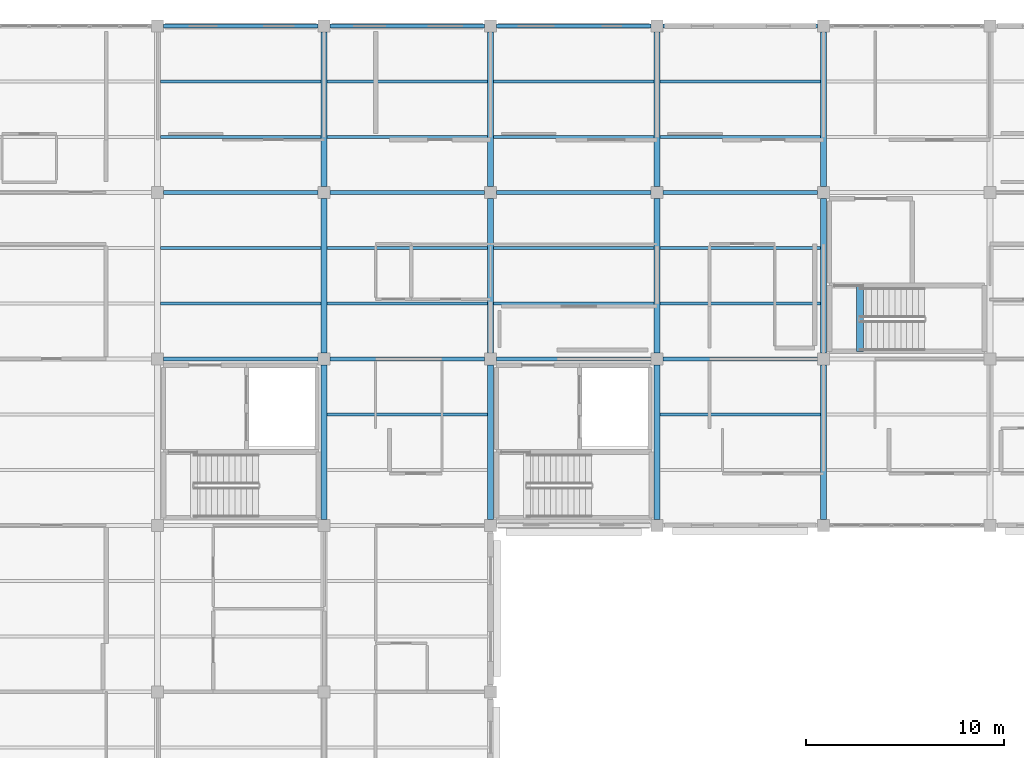
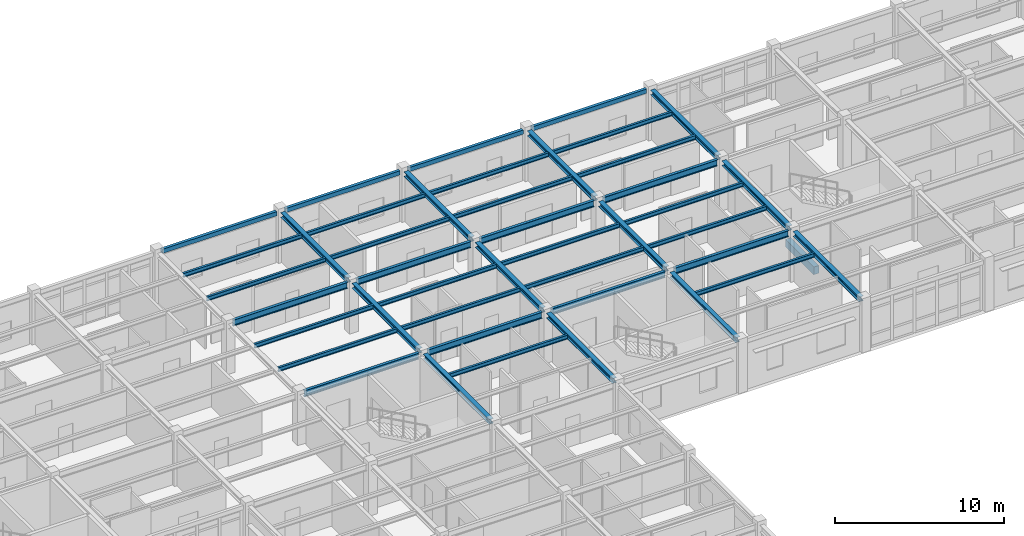
# One storey, part 28 of 86: 43 beams.
"""IFC4 building model written with IfcOpenShell, lengths in metres."""

from ifc_helpers import new_model, si_unit, direction, frame, origin, origin_2d, place, context, subcontext, project, spatial, rectangle, hollow_rectangle, i_section, extrude, material, material_profile, profile_set, type_object, element, save


model = new_model("IFC4")

# Units and contexts
model_context = context("Model", 3, precision=1e-05, world=origin(), true_north=direction((0.0, 1.0)))
body_context = subcontext(model_context, "Body", "Model", "MODEL_VIEW")
ifc_project = project(units=[si_unit("LENGTHUNIT", "METRE"), si_unit("AREAUNIT", "SQUARE_METRE"), si_unit("VOLUMEUNIT", "CUBIC_METRE"), si_unit("PLANEANGLEUNIT", "RADIAN"), si_unit("MASSUNIT", "GRAM", prefix="KILO")], contexts=[model_context])

# Site, building, storey
site_placement = place(None, origin())
site = spatial("IfcSite", under=ifc_project, at=site_placement, CompositionType="ELEMENT")
building_placement = place(site_placement, origin())
building = spatial("IfcBuilding", under=site, at=building_placement, Name="Bramfleet General Hospital", CompositionType="ELEMENT")
storey_placement = place(building_placement, frame((0.0, 0.0, 18.60009765625)))
storey = spatial("IfcBuildingStorey", under=building, at=storey_placement, Name="L04", CompositionType="ELEMENT", Elevation=18.60009765625)

# Beams
ifc_material_1 = material(Name="Steel S355", Category="steel")
ifc_material_profile_1 = material_profile(ifc_material_1, i_section(OverallWidth=0.300048828125, OverallDepth=0.35009765625, WebThickness=0.010009765625, FlangeThickness=0.017578125, FilletRadius=0.027099609375, at=origin_2d()), Name="HEA 360")
ifc_profile_set_1 = profile_set([ifc_material_profile_1], Name="Steel S355")
beam_type_1 = type_object("IfcBeamType", Name="BM-HEA360", PredefinedType="BEAM", material=ifc_profile_set_1)
beam_1_placement = place(storey_placement, frame((109.199951171875, 92.699951171875, 3.44482421875), z_axis=(0.0, 1.0, 0.0), x_axis=(-1.0, 0.0, 0.0)))
element("IfcBeam", 1, at=beam_1_placement, inside=storey, type_object=beam_type_1, Name="L04 Grid Beam Y 13-11", PredefinedType="BEAM", context=body_context, shape_type="SweptSolid", body=[
    extrude(i_section(OverallWidth=0.300048828125, OverallDepth=0.35009765625, WebThickness=0.010009765625, FlangeThickness=0.017578125, FilletRadius=0.027099609375, at=origin_2d()), origin(), (0.0, 0.0, 1.0), 7.800048828125),
])
beam_2_placement = place(storey_placement, frame((109.199951171875, 101.10009765625, 3.44482421875), z_axis=(0.0, 1.0, 0.0), x_axis=(-1.0, 0.0, 0.0)))
element("IfcBeam", 2, at=beam_2_placement, inside=storey, type_object=beam_type_1, Name="L04 Grid Beam Y 13-12", PredefinedType="BEAM", context=body_context, shape_type="SweptSolid", body=[
    extrude(i_section(OverallWidth=0.300048828125, OverallDepth=0.35009765625, WebThickness=0.010009765625, FlangeThickness=0.017578125, FilletRadius=0.027099609375, at=origin_2d()), origin(), (0.0, 0.0, 1.0), 7.7998046875),
])
for number, where, z_axis, x_axis, name in (
    (3, (109.199951171875, 109.5, 3.44482421875), (0.0, 1.0, 0.0), (-1.0, 0.0, 0.0), "L04 Grid Beam Y 13-13"),
    (4, (117.60009765625, 92.699951171875, 3.44482421875), (0.0, 1.0, 0.0), (-1.0, 0.0, 0.0), "L04 Grid Beam Y 14-11"),
):
    element("IfcBeam", number, at=place(storey_placement, frame(where, z_axis=z_axis, x_axis=x_axis)), inside=storey, type_object=beam_type_1, Name=name, PredefinedType="BEAM", context=body_context, shape_type="SweptSolid", body=[
        extrude(i_section(OverallWidth=0.300048828125, OverallDepth=0.35009765625, WebThickness=0.010009765625, FlangeThickness=0.017578125, FilletRadius=0.027099609375, at=origin_2d()), origin(), (0.0, 0.0, 1.0), 7.800048828125),
    ])
beam_3_placement = place(storey_placement, frame((117.60009765625, 101.10009765625, 3.44482421875), z_axis=(0.0, 1.0, 0.0), x_axis=(-1.0, 0.0, 0.0)))
element("IfcBeam", 5, at=beam_3_placement, inside=storey, type_object=beam_type_1, Name="L04 Grid Beam Y 14-12", PredefinedType="BEAM", context=body_context, shape_type="SweptSolid", body=[
    extrude(i_section(OverallWidth=0.300048828125, OverallDepth=0.35009765625, WebThickness=0.010009765625, FlangeThickness=0.017578125, FilletRadius=0.027099609375, at=origin_2d()), origin(), (0.0, 0.0, 1.0), 7.7998046875),
])
for number, where, z_axis, x_axis, name in (
    (6, (117.60009765625, 109.5, 3.44482421875), (0.0, 1.0, 0.0), (-1.0, 0.0, 0.0), "L04 Grid Beam Y 14-13"),
    (7, (126.0, 92.699951171875, 3.44482421875), (0.0, 1.0, 0.0), (-1.0, 0.0, 0.0), "L04 Grid Beam Y 15-11"),
):
    element("IfcBeam", number, at=place(storey_placement, frame(where, z_axis=z_axis, x_axis=x_axis)), inside=storey, type_object=beam_type_1, Name=name, PredefinedType="BEAM", context=body_context, shape_type="SweptSolid", body=[
        extrude(i_section(OverallWidth=0.300048828125, OverallDepth=0.35009765625, WebThickness=0.010009765625, FlangeThickness=0.017578125, FilletRadius=0.027099609375, at=origin_2d()), origin(), (0.0, 0.0, 1.0), 7.800048828125),
    ])
beam_4_placement = place(storey_placement, frame((126.0, 101.10009765625, 3.44482421875), z_axis=(0.0, 1.0, 0.0), x_axis=(-1.0, 0.0, 0.0)))
element("IfcBeam", 8, at=beam_4_placement, inside=storey, type_object=beam_type_1, Name="L04 Grid Beam Y 15-12", PredefinedType="BEAM", context=body_context, shape_type="SweptSolid", body=[
    extrude(i_section(OverallWidth=0.300048828125, OverallDepth=0.35009765625, WebThickness=0.010009765625, FlangeThickness=0.017578125, FilletRadius=0.027099609375, at=origin_2d()), origin(), (0.0, 0.0, 1.0), 7.7998046875),
])
for number, where, z_axis, x_axis, name in (
    (9, (126.0, 109.5, 3.44482421875), (0.0, 1.0, 0.0), (-1.0, 0.0, 0.0), "L04 Grid Beam Y 15-13"),
    (10, (134.39990234375, 92.699951171875, 3.44482421875), (0.0, 1.0, 0.0), (-1.0, 0.0, 0.0), "L04 Grid Beam Y 16-11"),
):
    element("IfcBeam", number, at=place(storey_placement, frame(where, z_axis=z_axis, x_axis=x_axis)), inside=storey, type_object=beam_type_1, Name=name, PredefinedType="BEAM", context=body_context, shape_type="SweptSolid", body=[
        extrude(i_section(OverallWidth=0.300048828125, OverallDepth=0.35009765625, WebThickness=0.010009765625, FlangeThickness=0.017578125, FilletRadius=0.027099609375, at=origin_2d()), origin(), (0.0, 0.0, 1.0), 7.800048828125),
    ])
beam_5_placement = place(storey_placement, frame((134.39990234375, 101.10009765625, 3.44482421875), z_axis=(0.0, 1.0, 0.0), x_axis=(-1.0, 0.0, 0.0)))
element("IfcBeam", 11, at=beam_5_placement, inside=storey, type_object=beam_type_1, Name="L04 Grid Beam Y 16-12", PredefinedType="BEAM", context=body_context, shape_type="SweptSolid", body=[
    extrude(i_section(OverallWidth=0.300048828125, OverallDepth=0.35009765625, WebThickness=0.010009765625, FlangeThickness=0.017578125, FilletRadius=0.027099609375, at=origin_2d()), origin(), (0.0, 0.0, 1.0), 7.7998046875),
])
beam_6_placement = place(storey_placement, frame((134.39990234375, 109.5, 3.44482421875), z_axis=(0.0, 1.0, 0.0), x_axis=(-1.0, 0.0, 0.0)))
element("IfcBeam", 12, at=beam_6_placement, inside=storey, type_object=beam_type_1, Name="L04 Grid Beam Y 16-13", PredefinedType="BEAM", context=body_context, shape_type="SweptSolid", body=[
    extrude(i_section(OverallWidth=0.300048828125, OverallDepth=0.35009765625, WebThickness=0.010009765625, FlangeThickness=0.017578125, FilletRadius=0.027099609375, at=origin_2d()), origin(), (0.0, 0.0, 1.0), 7.800048828125),
])
ifc_material_profile_2 = material_profile(ifc_material_1, i_section(OverallWidth=0.14990234375, OverallDepth=0.300048828125, WebThickness=0.007080078125, FlangeThickness=0.0107421875, FilletRadius=0.014892578125, at=origin_2d()), Name="IPE 300")
ifc_profile_set_2 = profile_set([ifc_material_profile_2], Name="Steel S355")
beam_type_2 = type_object("IfcBeamType", Name="BM-IPE300", PredefinedType="JOIST", material=ifc_profile_set_2)
for number, where, z_axis, x_axis, name in (
    (13, (100.949951171875, 103.60009765625, 3.469970703125), (1.0, 0.0, 0.0), (0.0, 1.0, 0.0), "L04 Secondary Joist 12-12-1"),
    (14, (100.949951171875, 106.39990234375, 3.469970703125), (1.0, 0.0, 0.0), (0.0, 1.0, 0.0), "L04 Secondary Joist 12-12-2"),
    (15, (100.949951171875, 112.0, 3.469970703125), (1.0, 0.0, 0.0), (0.0, 1.0, 0.0), "L04 Secondary Joist 12-13-1"),
    (16, (100.949951171875, 114.800048828125, 3.469970703125), (1.0, 0.0, 0.0), (0.0, 1.0, 0.0), "L04 Secondary Joist 12-13-2"),
):
    element("IfcBeam", number, at=place(storey_placement, frame(where, z_axis=z_axis, x_axis=x_axis)), inside=storey, type_object=beam_type_2, Name=name, PredefinedType="JOIST", context=body_context, shape_type="SweptSolid", body=[
        extrude(i_section(OverallWidth=0.14990234375, OverallDepth=0.300048828125, WebThickness=0.007080078125, FlangeThickness=0.0107421875, FilletRadius=0.014892578125, at=origin_2d()), origin(), (0.0, 0.0, 1.0), 8.10009765625),
    ])
for number, where, z_axis, x_axis, name in (
    (17, (109.35009765625, 98.0, 3.469970703125), (1.0, 0.0, 0.0), (0.0, 1.0, 0.0), "L04 Secondary Joist 13-11-2"),
    (18, (109.35009765625, 103.60009765625, 3.469970703125), (1.0, 0.0, 0.0), (0.0, 1.0, 0.0), "L04 Secondary Joist 13-12-1"),
    (19, (109.35009765625, 106.39990234375, 3.469970703125), (1.0, 0.0, 0.0), (0.0, 1.0, 0.0), "L04 Secondary Joist 13-12-2"),
    (20, (109.35009765625, 112.0, 3.469970703125), (1.0, 0.0, 0.0), (0.0, 1.0, 0.0), "L04 Secondary Joist 13-13-1"),
    (21, (109.35009765625, 114.800048828125, 3.469970703125), (1.0, 0.0, 0.0), (0.0, 1.0, 0.0), "L04 Secondary Joist 13-13-2"),
):
    element("IfcBeam", number, at=place(storey_placement, frame(where, z_axis=z_axis, x_axis=x_axis)), inside=storey, type_object=beam_type_2, Name=name, PredefinedType="JOIST", context=body_context, shape_type="SweptSolid", body=[
        extrude(i_section(OverallWidth=0.14990234375, OverallDepth=0.300048828125, WebThickness=0.007080078125, FlangeThickness=0.0107421875, FilletRadius=0.014892578125, at=origin_2d()), origin(), (0.0, 0.0, 1.0), 8.099853515625),
    ])
for number, where, z_axis, x_axis, name in (
    (22, (117.75, 103.60009765625, 3.469970703125), (1.0, 0.0, 0.0), (0.0, 1.0, 0.0), "L04 Secondary Joist 14-12-1"),
    (23, (117.75, 106.39990234375, 3.469970703125), (1.0, 0.0, 0.0), (0.0, 1.0, 0.0), "L04 Secondary Joist 14-12-2"),
    (24, (117.75, 112.0, 3.469970703125), (1.0, 0.0, 0.0), (0.0, 1.0, 0.0), "L04 Secondary Joist 14-13-1"),
    (25, (117.75, 114.800048828125, 3.469970703125), (1.0, 0.0, 0.0), (0.0, 1.0, 0.0), "L04 Secondary Joist 14-13-2"),
    (26, (126.14990234375, 98.0, 3.469970703125), (1.0, 0.0, 0.0), (0.0, 1.0, 0.0), "L04 Secondary Joist 15-11-2"),
    (27, (126.14990234375, 103.60009765625, 3.469970703125), (1.0, 0.0, 0.0), (0.0, 1.0, 0.0), "L04 Secondary Joist 15-12-1"),
    (28, (126.14990234375, 106.39990234375, 3.469970703125), (1.0, 0.0, 0.0), (0.0, 1.0, 0.0), "L04 Secondary Joist 15-12-2"),
    (29, (126.14990234375, 112.0, 3.469970703125), (1.0, 0.0, 0.0), (0.0, 1.0, 0.0), "L04 Secondary Joist 15-13-1"),
    (30, (126.14990234375, 114.800048828125, 3.469970703125), (1.0, 0.0, 0.0), (0.0, 1.0, 0.0), "L04 Secondary Joist 15-13-2"),
):
    element("IfcBeam", number, at=place(storey_placement, frame(where, z_axis=z_axis, x_axis=x_axis)), inside=storey, type_object=beam_type_2, Name=name, PredefinedType="JOIST", context=body_context, shape_type="SweptSolid", body=[
        extrude(i_section(OverallWidth=0.14990234375, OverallDepth=0.300048828125, WebThickness=0.007080078125, FlangeThickness=0.0107421875, FilletRadius=0.014892578125, at=origin_2d()), origin(), (0.0, 0.0, 1.0), 8.10009765625),
    ])
ifc_material_profile_3 = material_profile(ifc_material_1, i_section(OverallWidth=0.18994140625, OverallDepth=0.449951171875, WebThickness=0.009521484375, FlangeThickness=0.0146484375, FilletRadius=0.02099609375, at=origin_2d()), Name="IPE 450")
ifc_profile_set_3 = profile_set([ifc_material_profile_3], Name="Steel S355")
beam_type_3 = type_object("IfcBeamType", Name="BM-IPE450", PredefinedType="BEAM", material=ifc_profile_set_3)
for number, where, z_axis, x_axis, name in (
    (31, (101.10009765625, 100.800048828125, 3.39501953125), (1.0, 0.0, 0.0), (0.0, 1.0, 0.0), "L04 Grid Beam X 12-12"),
    (32, (101.10009765625, 109.199951171875, 3.39501953125), (1.0, 0.0, 0.0), (0.0, 1.0, 0.0), "L04 Grid Beam X 12-13"),
):
    element("IfcBeam", number, at=place(storey_placement, frame(where, z_axis=z_axis, x_axis=x_axis)), inside=storey, type_object=beam_type_3, Name=name, PredefinedType="BEAM", context=body_context, shape_type="SweptSolid", body=[
        extrude(i_section(OverallWidth=0.18994140625, OverallDepth=0.449951171875, WebThickness=0.009521484375, FlangeThickness=0.0146484375, FilletRadius=0.02099609375, at=origin_2d()), origin(), (0.0, 0.0, 1.0), 7.7998046875),
    ])
for number, where, z_axis, x_axis, name in (
    (33, (109.5, 100.800048828125, 3.39501953125), (1.0, 0.0, 0.0), (0.0, 1.0, 0.0), "L04 Grid Beam X 13-12"),
    (34, (109.5, 109.199951171875, 3.39501953125), (1.0, 0.0, 0.0), (0.0, 1.0, 0.0), "L04 Grid Beam X 13-13"),
    (35, (117.89990234375, 100.800048828125, 3.39501953125), (1.0, 0.0, 0.0), (0.0, 1.0, 0.0), "L04 Grid Beam X 14-12"),
    (36, (117.89990234375, 109.199951171875, 3.39501953125), (1.0, 0.0, 0.0), (0.0, 1.0, 0.0), "L04 Grid Beam X 14-13"),
    (37, (126.300048828125, 100.800048828125, 3.39501953125), (1.0, 0.0, 0.0), (0.0, 1.0, 0.0), "L04 Grid Beam X 15-12"),
    (38, (126.300048828125, 109.199951171875, 3.39501953125), (1.0, 0.0, 0.0), (0.0, 1.0, 0.0), "L04 Grid Beam X 15-13"),
):
    element("IfcBeam", number, at=place(storey_placement, frame(where, z_axis=z_axis, x_axis=x_axis)), inside=storey, type_object=beam_type_3, Name=name, PredefinedType="BEAM", context=body_context, shape_type="SweptSolid", body=[
        extrude(i_section(OverallWidth=0.18994140625, OverallDepth=0.449951171875, WebThickness=0.009521484375, FlangeThickness=0.0146484375, FilletRadius=0.02099609375, at=origin_2d()), origin(), (0.0, 0.0, 1.0), 7.800048828125),
    ])
ifc_material_2 = material(Name="Concrete C35/45", Category="concrete")
ifc_material_profile_4 = material_profile(ifc_material_2, rectangle(XDim=0.35009765625, YDim=0.550048828125, at=origin_2d()), Name="RC BM 550x350")
ifc_profile_set_4 = profile_set([ifc_material_profile_4], Name="Concrete C35/45")
beam_type_4 = type_object("IfcBeamType", Name="BM-RC550", PredefinedType="BEAM", material=ifc_profile_set_4)
beam_7_placement = place(storey_placement, frame((136.239990234375, 101.179931640625, -0.275146484375), z_axis=(0.0, 1.0, 0.0), x_axis=(-1.0, 0.0, 0.0)))
element("IfcBeam", 39, at=beam_7_placement, inside=storey, type_object=beam_type_4, Name="L04 C9 Stairwell Trimmer Beam", PredefinedType="BEAM", context=body_context, shape_type="SweptSolid", body=[
    extrude(rectangle(XDim=0.35009765625, YDim=0.550048828125, at=origin_2d()), origin(), (0.0, 0.0, 1.0), 3.320068359375),
])
ifc_material_profile_5 = material_profile(ifc_material_1, hollow_rectangle(XDim=0.199951171875, YDim=0.300048828125, WallThickness=0.012451171875, at=origin_2d()), Name="RHS 300x200x12.5")
ifc_profile_set_5 = profile_set([ifc_material_profile_5], Name="Steel S355")
beam_type_5 = type_object("IfcBeamType", Name="BM-RHS300", PredefinedType="SPANDREL", material=ifc_profile_set_5)
beam_8_placement = place(storey_placement, frame((101.10009765625, 117.60009765625, 3.469970703125), z_axis=(1.0, 0.0, 0.0), x_axis=(0.0, 1.0, 0.0)))
element("IfcBeam", 40, at=beam_8_placement, inside=storey, type_object=beam_type_5, Name="L04 Grid Beam X 12-14", PredefinedType="SPANDREL", context=body_context, shape_type="SweptSolid", body=[
    extrude(hollow_rectangle(XDim=0.199951171875, YDim=0.300048828125, WallThickness=0.012451171875, at=origin_2d()), origin(), (0.0, 0.0, 1.0), 7.7998046875),
])
for number, where, z_axis, x_axis, name in (
    (41, (109.5, 117.60009765625, 3.469970703125), (1.0, 0.0, 0.0), (0.0, 1.0, 0.0), "L04 Grid Beam X 13-14"),
    (42, (117.89990234375, 117.60009765625, 3.469970703125), (1.0, 0.0, 0.0), (0.0, 1.0, 0.0), "L04 Grid Beam X 14-14"),
    (43, (126.300048828125, 117.60009765625, 3.469970703125), (1.0, 0.0, 0.0), (0.0, 1.0, 0.0), "L04 Grid Beam X 15-14"),
):
    element("IfcBeam", number, at=place(storey_placement, frame(where, z_axis=z_axis, x_axis=x_axis)), inside=storey, type_object=beam_type_5, Name=name, PredefinedType="SPANDREL", context=body_context, shape_type="SweptSolid", body=[
        extrude(hollow_rectangle(XDim=0.199951171875, YDim=0.300048828125, WallThickness=0.012451171875, at=origin_2d()), origin(), (0.0, 0.0, 1.0), 7.800048828125),
    ])

save(model, "model.ifc")
